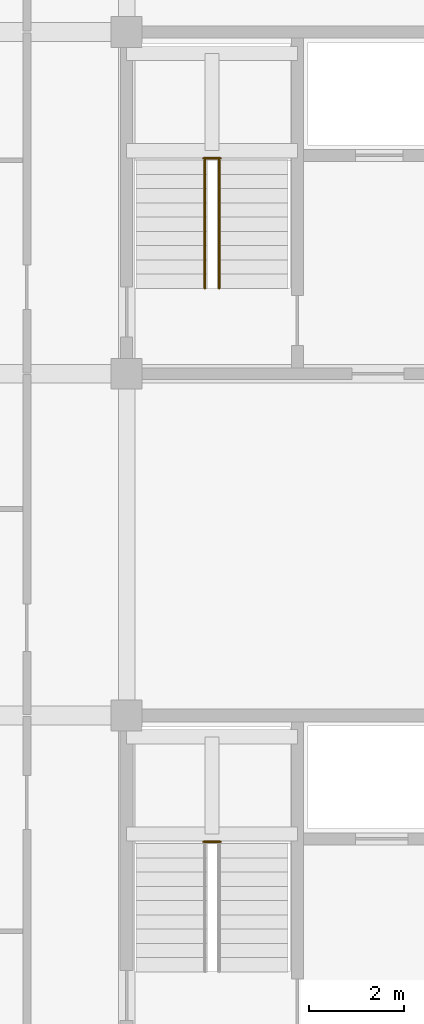
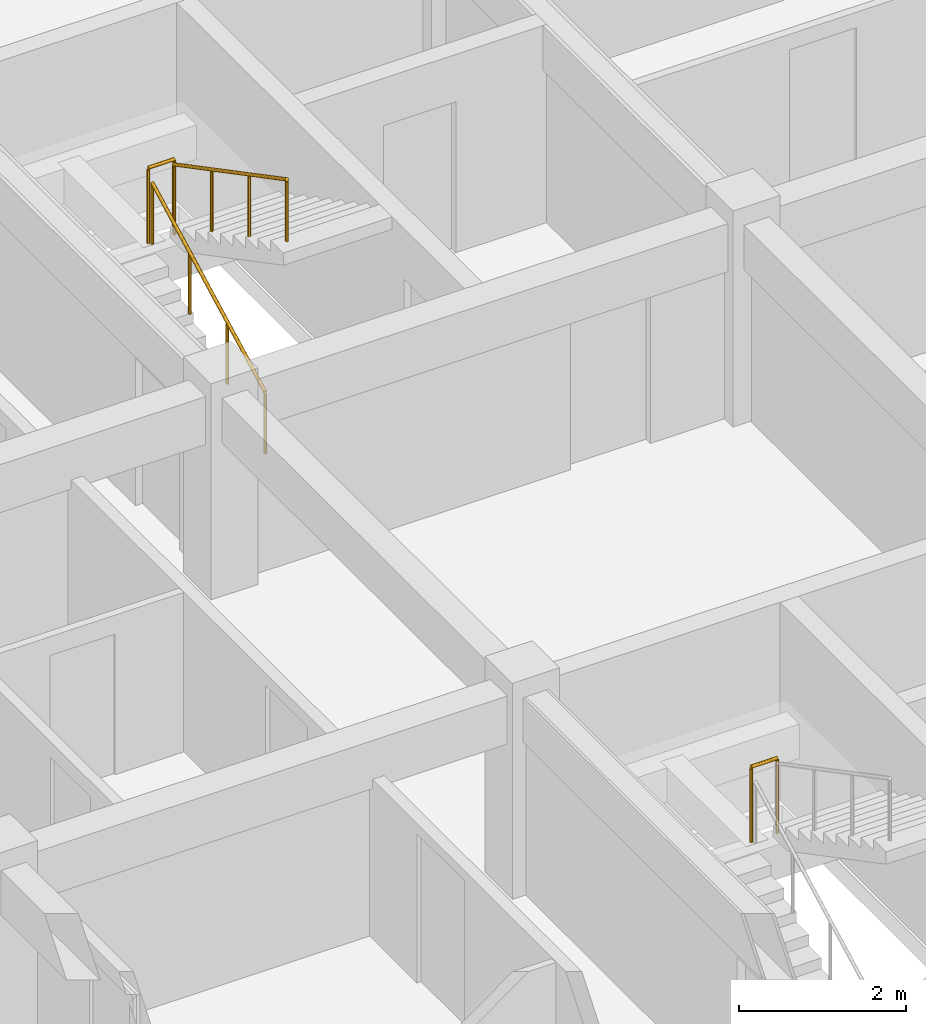
# One storey, part 49 of 50: 4 railings.
"""IFC4 building model written with IfcOpenShell, lengths in metres."""

from ifc_helpers import new_model, si_unit, direction, frame, origin, origin_2d, place, context, subcontext, project, spatial, circle, extrude, material, type_object, element, save


model = new_model("IFC4")

# Units and contexts
model_context = context("Model", 3, precision=1e-05, world=origin(), true_north=direction((0.0, 1.0)))
body_context = subcontext(model_context, "Body", "Model", "MODEL_VIEW")
ifc_project = project(units=[si_unit("LENGTHUNIT", "METRE"), si_unit("AREAUNIT", "SQUARE_METRE"), si_unit("VOLUMEUNIT", "CUBIC_METRE"), si_unit("PLANEANGLEUNIT", "RADIAN"), si_unit("MASSUNIT", "GRAM", prefix="KILO"), si_unit("THERMODYNAMICTEMPERATUREUNIT", "KELVIN"), si_unit("POWERUNIT", "WATT")], contexts=[model_context])

# Site, building, storey
site_placement = place(None, origin())
site = spatial("IfcSite", under=ifc_project, at=site_placement, CompositionType="ELEMENT")
building_placement = place(site_placement, origin())
building = spatial("IfcBuilding", under=site, at=building_placement, Name="Tavuni Mirador Residences", CompositionType="ELEMENT")
storey_placement = place(building_placement, frame((0.0, 0.0, 4.5)))
storey = spatial("IfcBuildingStorey", under=building, at=storey_placement, Name="L01", CompositionType="ELEMENT", Elevation=4.5)

# Railings
ifc_material = material(Name="Structural steel S355", Category="steel")
railing_type_1 = type_object("IfcRailingType", Name="RT-GR1120", PredefinedType="GUARDRAIL", material=ifc_material)
for number, where, name in (
    (1, (106.02001953125, 98.139892578125, 1.574951171875), "GRD-HL-ST7-L01"),
    (2, (106.02001953125, 112.5400390625, 1.574951171875), "GRD-HL-ST8-L01"),
):
    element("IfcRailing", number, at=place(storey_placement, frame(where)), inside=storey, type_object=railing_type_1, Name=name, PredefinedType="GUARDRAIL", context=body_context, shape_type="SweptSolid", body=[
        extrude(circle(Radius=0.02392578125, at=origin_2d()), frame((0.0, 0.0, 1.09619140625), z_axis=(1.0, 0.0, 0.0), x_axis=(0.0, 1.0, 0.0)), (0.0, 0.0, 1.0), 0.35986328125),
        extrude(circle(Radius=0.02099609375, at=origin_2d()), origin(), (0.0, 0.0, 1.0), 1.072021484375),
        extrude(circle(Radius=0.02099609375, at=origin_2d()), frame((0.35986328125, 0.0, 0.0)), (0.0, 0.0, 1.0), 1.072021484375),
    ])
railing_type_2 = type_object("IfcRailingType", Name="RT-HR920", PredefinedType="HANDRAIL", material=ifc_material)
railing_1_placement = place(storey_placement, frame((106.050048828125, 109.800048828125, 0.157470703125)))
element("IfcRailing", 3, at=railing_1_placement, inside=storey, type_object=railing_type_2, Name="HR-ST8-L01-F1", PredefinedType="HANDRAIL", context=body_context, shape_type="SweptSolid", body=[
    extrude(circle(Radius=0.02392578125, at=origin_2d()), frame((0.0, 0.0, 0.89599609375), z_axis=(0.0, 0.885397079081, 0.464835468048), x_axis=(-1.0, 0.0, 0.0)), (0.0, 0.0, 1.0), 3.04931640625),
    extrude(circle(Radius=0.02099609375, at=origin_2d()), origin(), (0.0, 0.0, 1.0), 0.871826171875),
    extrude(circle(Radius=0.02099609375, at=origin_2d()), frame((0.0, 0.89990234375, 0.472412109375)), (0.0, 0.0, 1.0), 0.871826171875),
    extrude(circle(Radius=0.02099609375, at=origin_2d()), frame((0.0, 1.800048828125, 0.945068359375)), (0.0, 0.0, 1.0), 0.871826171875),
    extrude(circle(Radius=0.02099609375, at=origin_2d()), frame((0.0, 2.699951171875, 1.41748046875)), (0.0, 0.0, 1.0), 0.871826171875),
])
railing_2_placement = place(storey_placement, frame((106.35009765625, 112.5, 1.732421875)))
element("IfcRailing", 4, at=railing_2_placement, inside=storey, type_object=railing_type_2, Name="HR-ST8-L01-F2", PredefinedType="HANDRAIL", context=body_context, shape_type="SweptSolid", body=[
    extrude(circle(Radius=0.02392578125, at=origin_2d()), frame((0.0, 0.0, 0.89599609375), z_axis=(0.0, -0.885397079081, 0.464835468048), x_axis=(1.0, 0.0, 0.0)), (0.0, 0.0, 1.0), 3.04931640625),
    extrude(circle(Radius=0.02099609375, at=origin_2d()), origin(), (0.0, 0.0, 1.0), 0.871826171875),
    extrude(circle(Radius=0.02099609375, at=origin_2d()), frame((0.0, -0.89990234375, 0.472412109375)), (0.0, 0.0, 1.0), 0.871826171875),
    extrude(circle(Radius=0.02099609375, at=origin_2d()), frame((0.0, -1.800048828125, 0.945068359375)), (0.0, 0.0, 1.0), 0.871826171875),
    extrude(circle(Radius=0.02099609375, at=origin_2d()), frame((0.0, -2.699951171875, 1.41748046875)), (0.0, 0.0, 1.0), 0.871826171875),
])

save(model, "model.ifc")
